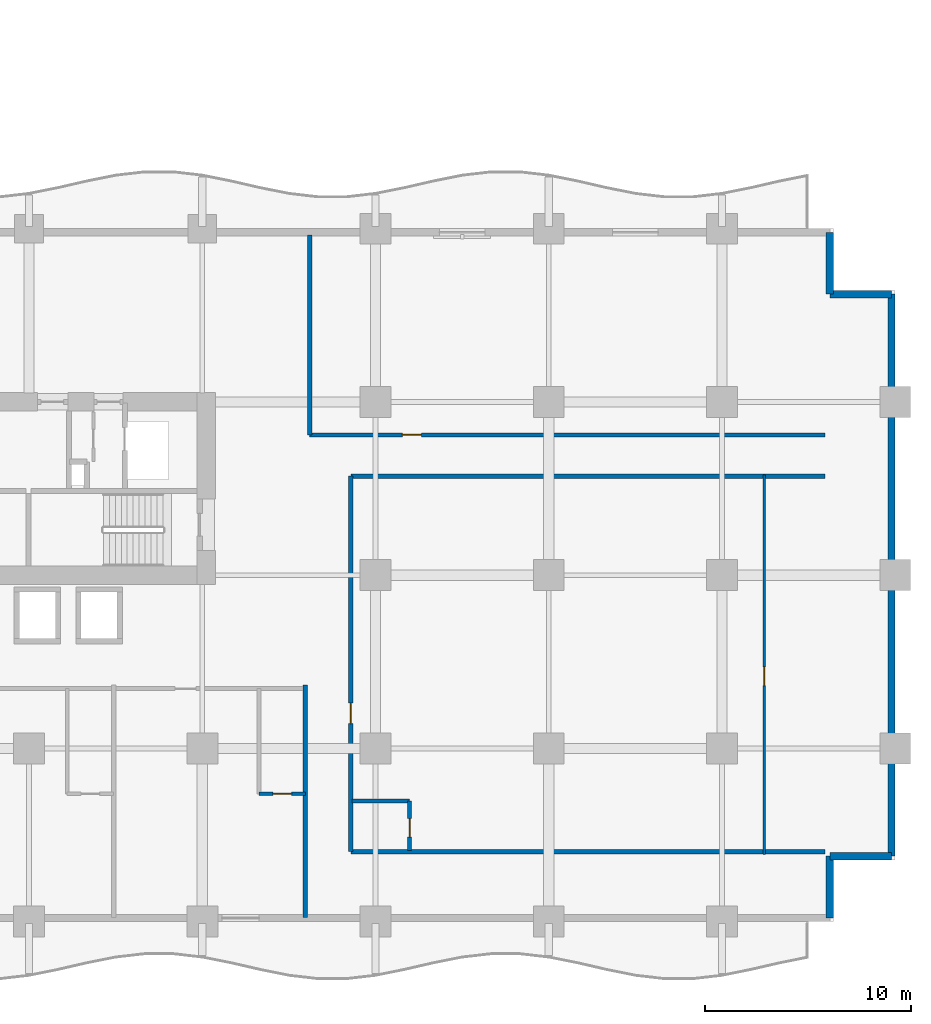
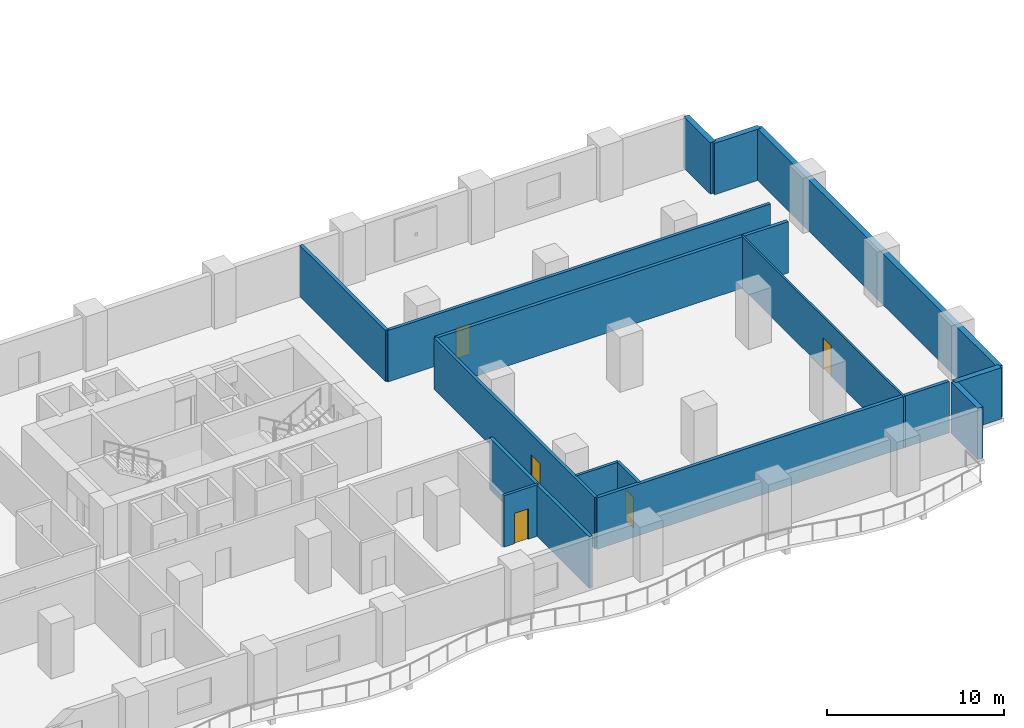
# One storey, part 12 of 20: 15 walls, 5 doors, 5 openings.
"""IFC4 building model written with IfcOpenShell, lengths in metres."""

from ifc_helpers import new_model, si_unit, direction, frame, frame_2d, origin, place, context, subcontext, project, spatial, rectangle, extrude, material, layer, layer_set, type_object, element, fill, save


model = new_model("IFC4")

# Units and contexts
model_context = context("Model", 3, precision=1e-05, world=origin(), true_north=direction((0.0, 1.0)))
body_context = subcontext(model_context, "Body", "Model", "MODEL_VIEW")
ifc_project = project(units=[si_unit("LENGTHUNIT", "METRE"), si_unit("AREAUNIT", "SQUARE_METRE"), si_unit("VOLUMEUNIT", "CUBIC_METRE"), si_unit("PLANEANGLEUNIT", "RADIAN"), si_unit("MASSUNIT", "GRAM", prefix="KILO")], contexts=[model_context])

# Site, building, storey
site_placement = place(None, origin())
site = spatial("IfcSite", under=ifc_project, at=site_placement, CompositionType="ELEMENT")
building_placement = place(site_placement, origin())
building = spatial("IfcBuilding", under=site, at=building_placement, Name="Koriwani Terraces Tower", CompositionType="ELEMENT")
storey_placement = place(building_placement, frame((0.0, 0.0, 66.199951171875)))
storey = spatial("IfcBuildingStorey", under=building, at=storey_placement, Name="L15", CompositionType="ELEMENT", Elevation=66.199951171875)

# Wall, opening, door
ifc_material_1 = material(Name="Autoclaved Cellular Concrete Blockwork", Category="masonry")
ifc_layer_1 = layer(ifc_material_1, 0.199951171875, Name="Autoclaved Cellular Concrete Blockwork")
ifc_layer_set_1 = layer_set([ifc_layer_1], Name="Autoclaved Cellular Concrete Blockwork")
wall_type_1 = type_object("IfcWallType", Name="WALL_CORRIDOR_200", PredefinedType="PARTITIONING", material=ifc_layer_set_1)
wall_1_placement = place(storey_placement, frame((66.0, 3.39990234375, 0.0), z_axis=(0.0, 0.0, 1.0), x_axis=(0.0, 1.0, 0.0)))
wall_1 = element("IfcWall", 1, at=wall_1_placement, inside=storey, type_object=wall_type_1, Name="L15 Interior Wall WGB-L15-ETIP-W", PredefinedType="PARTITIONING", context=body_context, shape_type="SweptSolid", body=[
    extrude(rectangle(XDim=18.2001953125, YDim=0.199951171875, at=frame_2d((9.10009765625, 0.0))), origin(), (0.0, 0.0, 1.0), 3.550048828125),
])
opening_1_placement = place(wall_1_placement, frame((6.199951171875, 0.0, 0.0)))
opening_1 = element("IfcOpeningElement", 2, at=opening_1_placement, cuts=wall_1, Name="Opening D-05", PredefinedType="OPENING", context=body_context, shape_type="SweptSolid", body=[
    extrude(rectangle(XDim=1.0, YDim=2.14990234375, at=frame_2d((0.5, 1.074951171875))), frame((0.0, 0.10986328125, 0.0), z_axis=(0.0, -1.0, 0.0), x_axis=(1.0, 0.0, 0.0)), (0.0, 0.0, 1.0), 0.219970703125),
])
ifc_material_2 = material(Name="Architectural Oak Fire Door", Category="wood")
door_type_1 = type_object("IfcDoorType", Name="DOOR_SUITE_ENTRY_1000X2150", OperationType="NOTDEFINED", PredefinedType="DOOR", material=ifc_material_2)
door_1_placement = place(opening_1_placement, origin())
door_1 = element("IfcDoor", 3, at=door_1_placement, inside=storey, type_object=door_type_1, Name="Ambassador Wing Suite 15E Entrance Door", OperationType="SINGLE_SWING_LEFT", OverallHeight=2.14990234375, OverallWidth=1.0, PredefinedType="DOOR", context=body_context, shape_type="SweptSolid", body=[
    extrude(rectangle(XDim=1.0, YDim=2.14990234375, at=frame_2d((0.5, 1.074951171875))), frame((0.0, 0.02490234375, 0.0), z_axis=(0.0, -1.0, 0.0), x_axis=(1.0, 0.0, 0.0)), (0.0, 0.0, 1.0), 0.050048828125),
])
fill(opening_1, door_1)

wall_2_placement = place(storey_placement, frame((64.0, 23.60009765625, 0.0), z_axis=(0.0, 0.0, 1.0), x_axis=(1.0, 0.0, 0.0)))
wall_2 = element("IfcWall", 4, at=wall_2_placement, inside=storey, type_object=wall_type_1, Name="L15 Interior Wall WETIP2-S-L15", PredefinedType="PARTITIONING", context=body_context, shape_type="SweptSolid", body=[
    extrude(rectangle(XDim=25.0, YDim=0.199951171875, at=frame_2d((12.5, 0.0))), origin(), (0.0, 0.0, 1.0), 3.550048828125),
])
opening_2_placement = place(wall_2_placement, frame((4.5, 0.0, 0.0)))
opening_2 = element("IfcOpeningElement", 5, at=opening_2_placement, cuts=wall_2, Name="Opening D-06", PredefinedType="OPENING", context=body_context, shape_type="SweptSolid", body=[
    extrude(rectangle(XDim=0.919921875, YDim=2.10009765625, at=frame_2d((0.4599609375, 1.050048828125))), frame((0.0, 0.10986328125, 0.0), z_axis=(0.0, -1.0, 0.0), x_axis=(1.0, 0.0, 0.0)), (0.0, 0.0, 1.0), 0.219970703125),
])
door_type_2 = type_object("IfcDoorType", Name="DOOR_ROOM_INT_920X2100", OperationType="NOTDEFINED", PredefinedType="DOOR", material=ifc_material_2)
door_2_placement = place(opening_2_placement, origin())
door_2 = element("IfcDoor", 6, at=door_2_placement, inside=storey, type_object=door_type_2, Name="L15 East Panorama Salon Door", OperationType="SINGLE_SWING_RIGHT", OverallHeight=2.10009765625, OverallWidth=0.919921875, PredefinedType="DOOR", context=body_context, shape_type="SweptSolid", body=[
    extrude(rectangle(XDim=0.919921875, YDim=2.10009765625, at=frame_2d((0.4599609375, 1.050048828125))), frame((0.0, 0.02490234375, 0.0), z_axis=(0.0, -1.0, 0.0), x_axis=(1.0, 0.0, 0.0)), (0.0, 0.0, 1.0), 0.050048828125),
])
fill(opening_2, door_2)

# Walls
ifc_layer_2 = layer(ifc_material_1, 0.219970703125, Name="Autoclaved Cellular Concrete Blockwork")
ifc_layer_set_2 = layer_set([ifc_layer_2], Name="Autoclaved Cellular Concrete Blockwork")
wall_type_2 = type_object("IfcWallType", Name="WALL_DEMISING_220", PredefinedType="PARTITIONING", material=ifc_layer_set_2)
wall_3_placement = place(storey_placement, frame((63.800048828125, 0.199951171875, 0.0), z_axis=(0.0, 0.0, 1.0), x_axis=(0.0, 1.0, 0.0)))
element("IfcWall", 7, at=wall_3_placement, inside=storey, type_object=wall_type_2, Name="L15 Interior Wall WDEME-L15-SW", PredefinedType="PARTITIONING", context=body_context, shape_type="SweptSolid", body=[
    extrude(rectangle(XDim=11.280029296875, YDim=0.219970703125, at=frame_2d((5.64013671875, 0.0))), origin(), (0.0, 0.0, 1.0), 3.550048828125),
])
for number, where, z_axis, x_axis, name in (
    (8, (66.0, 3.39990234375, 0.0), (0.0, 0.0, 1.0), (1.0, 0.0, 0.0), "L15 Interior Wall WGB-L15-ETIP-S"),
    (9, (66.0, 21.60009765625, 0.0), (0.0, 0.0, 1.0), (1.0, 0.0, 0.0), "L15 Interior Wall WGB-L15-ETIP-N"),
):
    element("IfcWall", number, at=place(storey_placement, frame(where, z_axis=z_axis, x_axis=x_axis)), inside=storey, type_object=wall_type_2, Name=name, PredefinedType="PARTITIONING", context=body_context, shape_type="SweptSolid", body=[
        extrude(rectangle(XDim=23.0, YDim=0.219970703125, at=frame_2d((11.5, 0.0))), origin(), (0.0, 0.0, 1.0), 3.550048828125),
    ])
wall_4_placement = place(storey_placement, frame((64.0, 23.60009765625, 0.0), z_axis=(0.0, 0.0, 1.0), x_axis=(0.0, 1.0, 0.0)))
element("IfcWall", 10, at=wall_4_placement, inside=storey, type_object=wall_type_2, Name="L15 Interior Wall WETIP2-W-L15", PredefinedType="PARTITIONING", context=body_context, shape_type="SweptSolid", body=[
    extrude(rectangle(XDim=9.699951171875, YDim=0.219970703125, at=frame_2d((4.85009765625, 0.0))), origin(), (0.0, 0.0, 1.0), 3.550048828125),
])
ifc_material_3 = material(Name="Concrete C50/60", Category="concrete")
ifc_layer_3 = layer(ifc_material_3, 0.35009765625, Name="Concrete C50/60")
ifc_layer_set_3 = layer_set([ifc_layer_3], Name="Concrete C50/60")
wall_type_3 = type_object("IfcWallType", Name="WALL_EXT_BRUTALIST_350", PredefinedType="STANDARD", material=ifc_layer_set_3)
for number, where, z_axis, x_axis, name in (
    (11, (89.22509765625, 33.425048828125, 0.0), (0.0, 0.0, 1.0), (0.0, -1.0, 0.0), "L15 Fair-Faced Brutalist Exterior Wall (N10)"),
    (12, (89.22509765625, 30.425048828125, 0.0), (0.0, 0.0, 1.0), (1.0, 0.0, 0.0), "L15 Fair-Faced Brutalist Exterior Wall (N11)"),
):
    element("IfcWall", number, at=place(storey_placement, frame(where, z_axis=z_axis, x_axis=x_axis)), inside=storey, type_object=wall_type_3, Name=name, PredefinedType="STANDARD", context=body_context, shape_type="SweptSolid", body=[
        extrude(rectangle(XDim=3.0, YDim=0.35009765625, at=frame_2d((1.5, 0.0))), origin(), (0.0, 0.0, 1.0), 3.550048828125),
    ])
wall_5_placement = place(storey_placement, frame((92.22509765625, 30.425048828125, 0.0), z_axis=(0.0, 0.0, 1.0), x_axis=(0.0, -1.0, 0.0)))
element("IfcWall", 13, at=wall_5_placement, inside=storey, type_object=wall_type_3, Name="L15 Fair-Faced Brutalist Exterior Wall (E_TIP)", PredefinedType="STANDARD", context=body_context, shape_type="SweptSolid", body=[
    extrude(rectangle(XDim=27.25, YDim=0.35009765625, at=frame_2d((13.625, 0.0))), origin(), (0.0, 0.0, 1.0), 3.550048828125),
])
for number, where, z_axis, x_axis, name in (
    (14, (92.22509765625, 3.175048828125, 0.0), (0.0, 0.0, 1.0), (-1.0, 0.0, 0.0), "L15 Fair-Faced Brutalist Exterior Wall (N13)"),
    (15, (89.22509765625, 3.175048828125, 0.0), (0.0, 0.0, 1.0), (0.0, -1.0, 0.0), "L15 Fair-Faced Brutalist Exterior Wall (N14)"),
):
    element("IfcWall", number, at=place(storey_placement, frame(where, z_axis=z_axis, x_axis=x_axis)), inside=storey, type_object=wall_type_3, Name=name, PredefinedType="STANDARD", context=body_context, shape_type="SweptSolid", body=[
        extrude(rectangle(XDim=3.0, YDim=0.35009765625, at=frame_2d((1.5, 0.0))), origin(), (0.0, 0.0, 1.0), 3.550048828125),
    ])

# Wall, opening, door
ifc_material_4 = material(Name="Fire-Rated Acoustic Gypsum Partition", Category="masonry")
ifc_layer_4 = layer(ifc_material_4, 0.125, Name="Fire-Rated Acoustic Gypsum Partition")
ifc_layer_set_4 = layer_set([ifc_layer_4], Name="Fire-Rated Acoustic Gypsum Partition")
wall_type_4 = type_object("IfcWallType", Name="WALL_INT_125", PredefinedType="PARTITIONING", material=ifc_layer_set_4)
wall_6_placement = place(storey_placement, frame((86.050048828125, 3.25, 0.0), z_axis=(0.0, 0.0, 1.0), x_axis=(0.0, 1.0, 0.0)))
wall_6 = element("IfcWall", 16, at=wall_6_placement, inside=storey, type_object=wall_type_4, Name="L15 Interior Wall WGB-L15-ETIP-BD", PredefinedType="PARTITIONING", context=body_context, shape_type="SweptSolid", body=[
    extrude(rectangle(XDim=18.39990234375, YDim=0.125, at=frame_2d((9.199951171875, 0.0))), origin(), (0.0, 0.0, 1.0), 3.550048828125),
])
opening_3_placement = place(wall_6_placement, frame((8.18994140625, 0.0, 0.0)))
opening_3 = element("IfcOpeningElement", 17, at=opening_3_placement, cuts=wall_6, Name="Opening D-06", PredefinedType="OPENING", context=body_context, shape_type="SweptSolid", body=[
    extrude(rectangle(XDim=0.919921875, YDim=2.10009765625, at=frame_2d((0.4599609375, 1.050048828125))), frame((0.0, 0.072509765625, 0.0), z_axis=(0.0, -1.0, 0.0), x_axis=(1.0, 0.0, 0.0)), (0.0, 0.0, 1.0), 0.14501953125),
])
door_3_placement = place(opening_3_placement, origin())
door_3 = element("IfcDoor", 18, at=door_3_placement, inside=storey, type_object=door_type_2, Name="Ambassador Wing Suite 15E Master Suite Door", OperationType="SINGLE_SWING_LEFT", OverallHeight=2.10009765625, OverallWidth=0.919921875, PredefinedType="DOOR", context=body_context, shape_type="SweptSolid", body=[
    extrude(rectangle(XDim=0.919921875, YDim=2.10009765625, at=frame_2d((0.4599609375, 1.050048828125))), frame((0.0, 0.02490234375, 0.0), z_axis=(0.0, -1.0, 0.0), x_axis=(1.0, 0.0, 0.0)), (0.0, 0.0, 1.0), 0.050048828125),
])
fill(opening_3, door_3)

ifc_layer_5 = layer(ifc_material_4, 0.179931640625, Name="Fire-Rated Acoustic Gypsum Partition")
ifc_layer_set_5 = layer_set([ifc_layer_5], Name="Fire-Rated Acoustic Gypsum Partition")
wall_type_5 = type_object("IfcWallType", Name="WALL_PLUMBING_180", PredefinedType="PLUMBINGWALL", material=ifc_layer_set_5)
wall_7_placement = place(storey_placement, frame((61.550048828125, 6.199951171875, 0.0), z_axis=(0.0, 0.0, 1.0), x_axis=(1.0, 0.0, 0.0)))
wall_7 = element("IfcWall", 19, at=wall_7_placement, inside=storey, type_object=wall_type_5, Name="L15 Interior Wall WBTH1-L15-SW-3", PredefinedType="PLUMBINGWALL", context=body_context, shape_type="SweptSolid", body=[
    extrude(rectangle(XDim=2.25, YDim=0.179931640625, at=frame_2d((1.125, 0.0))), origin(), (0.0, 0.0, 1.0), 3.550048828125),
])
opening_4_placement = place(wall_7_placement, frame((0.675048828125, 0.0, 0.0)))
opening_4 = element("IfcOpeningElement", 20, at=opening_4_placement, cuts=wall_7, Name="Opening D-07", PredefinedType="OPENING", context=body_context, shape_type="SweptSolid", body=[
    extrude(rectangle(XDim=0.89990234375, YDim=2.10009765625, at=frame_2d((0.449951171875, 1.050048828125))), frame((0.0, 0.10009765625, 0.0), z_axis=(0.0, -1.0, 0.0), x_axis=(1.0, 0.0, 0.0)), (0.0, 0.0, 1.0), 0.199951171875),
])
door_type_3 = type_object("IfcDoorType", Name="DOOR_BATH_INT_900X2100", OperationType="NOTDEFINED", PredefinedType="DOOR", material=ifc_material_2)
door_4_placement = place(opening_4_placement, origin())
door_4 = element("IfcDoor", 21, at=door_4_placement, inside=storey, type_object=door_type_3, Name="En-Suite Bathroom 15SW4 Door", OperationType="SINGLE_SWING_RIGHT", OverallHeight=2.10009765625, OverallWidth=0.89990234375, PredefinedType="DOOR", context=body_context, shape_type="SweptSolid", body=[
    extrude(rectangle(XDim=0.89990234375, YDim=2.10009765625, at=frame_2d((0.449951171875, 1.050048828125))), frame((0.0, 0.02490234375, 0.0), z_axis=(0.0, -1.0, 0.0), x_axis=(1.0, 0.0, 0.0)), (0.0, 0.0, 1.0), 0.050048828125),
])
fill(opening_4, door_4)

wall_8_placement = place(storey_placement, frame((68.85009765625, 3.449951171875, 0.0), z_axis=(0.0, 0.0, 1.0), x_axis=(0.0, 1.0, 0.0)))
wall_8 = element("IfcWall", 22, at=wall_8_placement, inside=storey, type_object=wall_type_5, Name="L15 Interior Wall WGB-L15-ETIP-SVB", PredefinedType="PLUMBINGWALL", context=body_context, shape_type="SweptSolid", body=[
    extrude(rectangle(XDim=2.400146484375, YDim=0.179931640625, at=frame_2d((1.2001953125, 0.0))), origin(), (0.0, 0.0, 1.0), 3.550048828125),
])
opening_5_placement = place(wall_8_placement, frame((0.64990234375, 0.0, 0.0)))
opening_5 = element("IfcOpeningElement", 23, at=opening_5_placement, cuts=wall_8, Name="Opening D-07", PredefinedType="OPENING", context=body_context, shape_type="SweptSolid", body=[
    extrude(rectangle(XDim=0.89990234375, YDim=2.10009765625, at=frame_2d((0.449951171875, 1.050048828125))), frame((0.0, 0.10009765625, 0.0), z_axis=(0.0, -1.0, 0.0), x_axis=(1.0, 0.0, 0.0)), (0.0, 0.0, 1.0), 0.199951171875),
])
door_5_placement = place(opening_5_placement, origin())
door_5 = element("IfcDoor", 24, at=door_5_placement, inside=storey, type_object=door_type_3, Name="Ambassador Wing Suite 15E Bathroom Door", OperationType="SINGLE_SWING_RIGHT", OverallHeight=2.10009765625, OverallWidth=0.89990234375, PredefinedType="DOOR", context=body_context, shape_type="SweptSolid", body=[
    extrude(rectangle(XDim=0.89990234375, YDim=2.10009765625, at=frame_2d((0.449951171875, 1.050048828125))), frame((0.0, 0.02490234375, 0.0), z_axis=(0.0, -1.0, 0.0), x_axis=(1.0, 0.0, 0.0)), (0.0, 0.0, 1.0), 0.050048828125),
])
fill(opening_5, door_5)

# Wall
wall_9_placement = place(storey_placement, frame((66.050048828125, 5.85009765625, 0.0), z_axis=(0.0, 0.0, 1.0), x_axis=(1.0, 0.0, 0.0)))
element("IfcWall", 25, at=wall_9_placement, inside=storey, type_object=wall_type_5, Name="L15 Interior Wall WGB-L15-ETIP-SV2", PredefinedType="PLUMBINGWALL", context=body_context, shape_type="SweptSolid", body=[
    extrude(rectangle(XDim=2.800048828125, YDim=0.179931640625, at=frame_2d((1.39990234375, 0.0))), origin(), (0.0, 0.0, 1.0), 3.550048828125),
])

save(model, "model.ifc")
